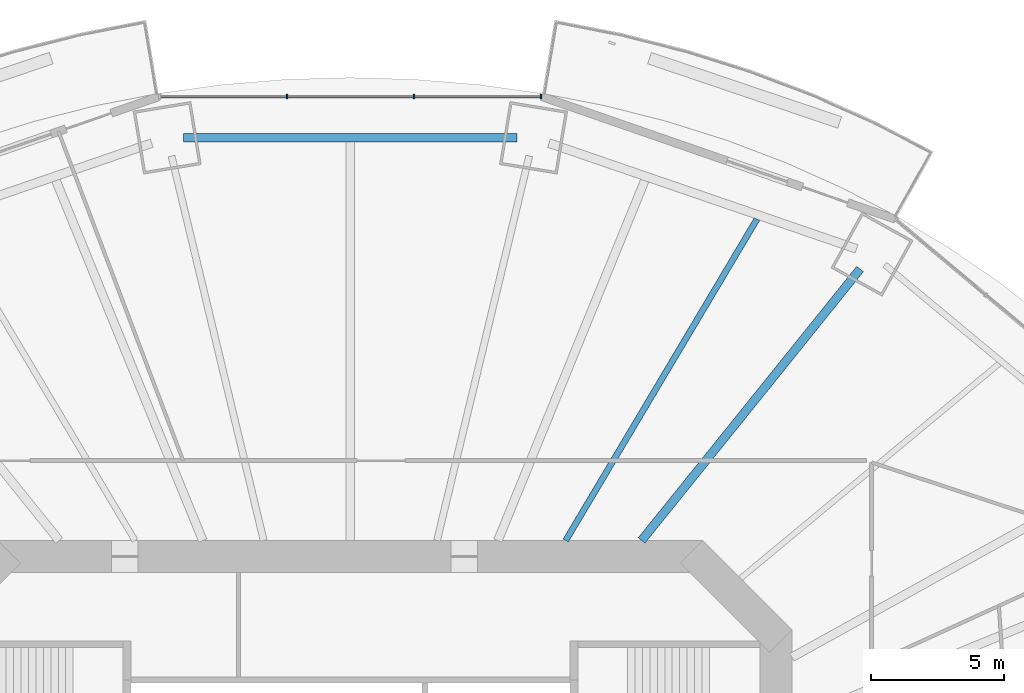
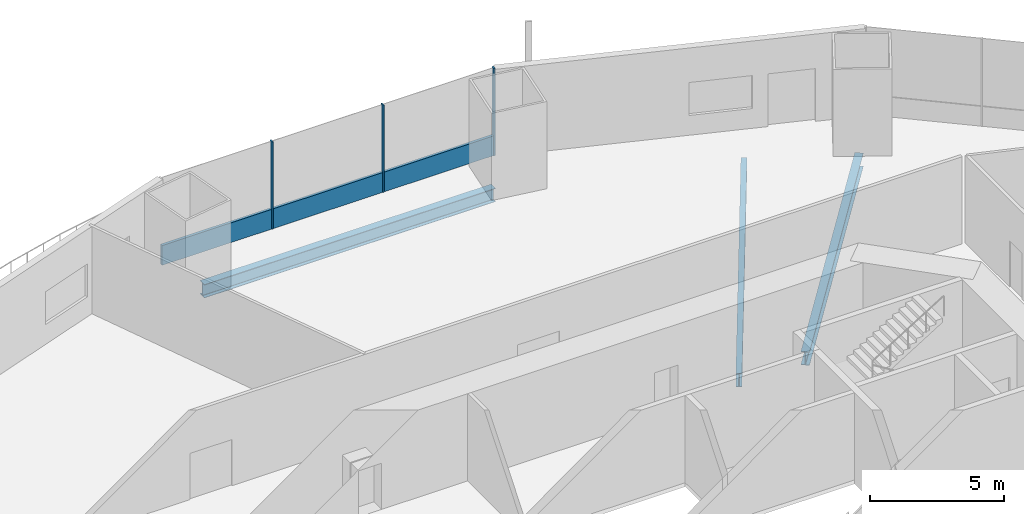
# One storey, part 9 of 23: 4 members, 3 beams, 1 element without a shape of its own.
"""IFC4 building model written with IfcOpenShell, lengths in metres."""

from ifc_helpers import new_model, si_unit, direction, frame, origin, origin_2d, place, context, subcontext, project, spatial, rectangle, i_section, extrude, material, material_profile, profile_set, type_object, element, aggregate, save


model = new_model("IFC4")

# Units and contexts
model_context = context("Model", 3, precision=1e-05, world=origin(), true_north=direction((0.0, 1.0)))
body_context = subcontext(model_context, "Body", "Model", "MODEL_VIEW")
ifc_project = project(units=[si_unit("LENGTHUNIT", "METRE"), si_unit("AREAUNIT", "SQUARE_METRE"), si_unit("VOLUMEUNIT", "CUBIC_METRE"), si_unit("PLANEANGLEUNIT", "RADIAN"), si_unit("MASSUNIT", "GRAM", prefix="KILO")], contexts=[model_context])

# Site, building, storey
site_placement = place(None, origin())
site = spatial("IfcSite", under=ifc_project, at=site_placement, CompositionType="ELEMENT")
building_placement = place(site_placement, origin())
building = spatial("IfcBuilding", under=site, at=building_placement, Name="Marenthal Gate Tower", CompositionType="ELEMENT")
storey_placement = place(building_placement, frame((0.0, 0.0, 37.14990234375)))
storey = spatial("IfcBuildingStorey", under=building, at=storey_placement, Name="L05", CompositionType="ELEMENT", Elevation=37.14990234375)

# Curtain wall, members
ifc_material_1 = material(Name="Aluminium and glass", Category="aluminium")
curtain_wall_type = type_object("IfcCurtainWallType", Name="Curtain wall typical low", PredefinedType="NOTDEFINED", material=ifc_material_1)
curtain_wall_placement = place(storey_placement, origin())
curtain_wall = element("IfcCurtainWall", 1, at=curtain_wall_placement, inside=storey, type_object=curtain_wall_type, Name="Curtain wall L05 bay 4", PredefinedType="NOTDEFINED")
ifc_material_2 = material(Name="Aluminium", Category="aluminium")
ifc_material_profile_1 = material_profile(ifc_material_2, rectangle(XDim=0.159912109375, YDim=0.06005859375, at=origin_2d()), Name="60x160 aluminium mullion")
ifc_profile_set_1 = profile_set([ifc_material_profile_1], Name="Aluminium")
member_type_1 = type_object("IfcMemberType", Name="Mullion 60x160 typical low", PredefinedType="MULLION", material=ifc_profile_set_1)
member_1_placement = place(storey_placement, frame((7.164794921875, 30.28662109375, 0.0), z_axis=(0.0, 0.0, 1.0), x_axis=(0.0, -1.0, 0.0)))
member_1 = element("IfcMember", 2, at=member_1_placement, type_object=member_type_1, Name="Mullion L05 bay 4.1", PredefinedType="MULLION", context=body_context, shape_type="SweptSolid", body=[
    extrude(rectangle(XDim=0.159912109375, YDim=0.06005859375, at=origin_2d()), origin(), (0.0, 0.0, 1.0), 3.97021484375),
])
member_2_placement = place(storey_placement, frame((2.38818359375, 30.28662109375, 0.0), z_axis=(0.0, 0.0, 1.0), x_axis=(0.0, -1.0, 0.0)))
member_2 = element("IfcMember", 3, at=member_2_placement, type_object=member_type_1, Name="Mullion L05 bay 4.2", PredefinedType="MULLION", context=body_context, shape_type="SweptSolid", body=[
    extrude(rectangle(XDim=0.159912109375, YDim=0.06005859375, at=origin_2d()), origin(), (0.0, 0.0, 1.0), 3.97021484375),
])
member_3_placement = place(storey_placement, frame((-2.38818359375, 30.28662109375, 0.0), z_axis=(0.0, 0.0, 1.0), x_axis=(0.0, -1.0, 0.0)))
member_3 = element("IfcMember", 4, at=member_3_placement, type_object=member_type_1, Name="Mullion L05 bay 4.3", PredefinedType="MULLION", context=body_context, shape_type="SweptSolid", body=[
    extrude(rectangle(XDim=0.159912109375, YDim=0.06005859375, at=origin_2d()), origin(), (0.0, 0.0, 1.0), 3.97021484375),
])
ifc_material_3 = material(Name="Aluminium", Category="aluminium")
ifc_material_profile_2 = material_profile(ifc_material_3, rectangle(XDim=0.1201171875, YDim=0.89990234375, at=origin_2d()), Name="120x900 aluminium transom")
ifc_profile_set_2 = profile_set([ifc_material_profile_2], Name="Aluminium")
member_type_2 = type_object("IfcMemberType", Name="Transom 120x900 typical low", PredefinedType="USERDEFINED", material=ifc_profile_set_2)
member_4_placement = place(storey_placement, frame((7.135009765625, 30.28662109375, 0.4501953125), z_axis=(-1.0, 0.0, 0.0), x_axis=(0.0, -1.0, 0.0)))
member_4 = element("IfcMember", 5, at=member_4_placement, type_object=member_type_2, Name="Transom L05 bay 4", ObjectType="TRANSOM", PredefinedType="USERDEFINED", context=body_context, shape_type="SweptSolid", body=[
    extrude(rectangle(XDim=0.1201171875, YDim=0.89990234375, at=origin_2d()), origin(), (0.0, 0.0, 1.0), 14.27001953125),
])
aggregate(curtain_wall, [member_1, member_2, member_3, member_4])

# Beams
ifc_material_4 = material(Name="Steel S355", Category="steel")
ifc_material_profile_3 = material_profile(ifc_material_4, i_section(OverallWidth=0.22900390625, OverallDepth=0.612060546875, WebThickness=0.011962890625, FlangeThickness=0.01953125, FilletRadius=0.0126953125, at=origin_2d()), Name="W610X125")
ifc_profile_set_3 = profile_set([ifc_material_profile_3], Name="Steel S355")
beam_type_1 = type_object("IfcBeamType", Name="W610X125 beam", PredefinedType="BEAM", material=ifc_profile_set_3)
beam_1_placement = place(storey_placement, frame((15.28515625, 25.677734375, -0.48583984375), z_axis=(-0.511504014048, -0.859280887494, 0.0), x_axis=(0.859280887494, -0.511504014048, 0.0)))
element("IfcBeam", 6, at=beam_1_placement, inside=storey, type_object=beam_type_1, Name="BM-L05-20", PredefinedType="BEAM", context=body_context, shape_type="SweptSolid", body=[
    extrude(i_section(OverallWidth=0.22900390625, OverallDepth=0.612060546875, WebThickness=0.011962890625, FlangeThickness=0.01953125, FilletRadius=0.0126953125, at=origin_2d()), origin(), (0.0, 0.0, 1.0), 14.055419921875),
])
ifc_material_5 = material(Name="Steel S355", Category="steel")
ifc_material_profile_4 = material_profile(ifc_material_5, i_section(OverallWidth=0.324951171875, OverallDepth=0.612060546875, WebThickness=0.0126953125, FlangeThickness=0.01904296875, FilletRadius=0.0126953125, at=origin_2d()), Name="W610X155")
ifc_profile_set_4 = profile_set([ifc_material_profile_4], Name="Steel S355")
beam_type_2 = type_object("IfcBeamType", Name="W610X155 beam", PredefinedType="BEAM", material=ifc_profile_set_4)
beam_2_placement = place(storey_placement, frame((19.161376953125, 23.802978515625, -0.48583984375), z_axis=(-0.627069823545, -0.778963052012, 0.0), x_axis=(0.778963052012, -0.627069823545, 0.0)))
element("IfcBeam", 7, at=beam_2_placement, inside=storey, type_object=beam_type_2, Name="BM-L05-03", PredefinedType="BEAM", context=body_context, shape_type="SweptSolid", body=[
    extrude(i_section(OverallWidth=0.324951171875, OverallDepth=0.612060546875, WebThickness=0.0126953125, FlangeThickness=0.01904296875, FilletRadius=0.0126953125, at=origin_2d()), origin(), (0.0, 0.0, 1.0), 13.09814453125),
])
beam_3_placement = place(storey_placement, frame((6.271728515625, 28.737060546875, -0.48583984375), z_axis=(-1.0, 0.0, 0.0), x_axis=(0.0, -1.0, 0.0)))
element("IfcBeam", 8, at=beam_3_placement, inside=storey, type_object=beam_type_2, Name="BM-L05-44", PredefinedType="BEAM", context=body_context, shape_type="SweptSolid", body=[
    extrude(i_section(OverallWidth=0.324951171875, OverallDepth=0.612060546875, WebThickness=0.0126953125, FlangeThickness=0.01904296875, FilletRadius=0.0126953125, at=origin_2d()), origin(), (0.0, 0.0, 1.0), 12.54345703125),
])

save(model, "model.ifc")
